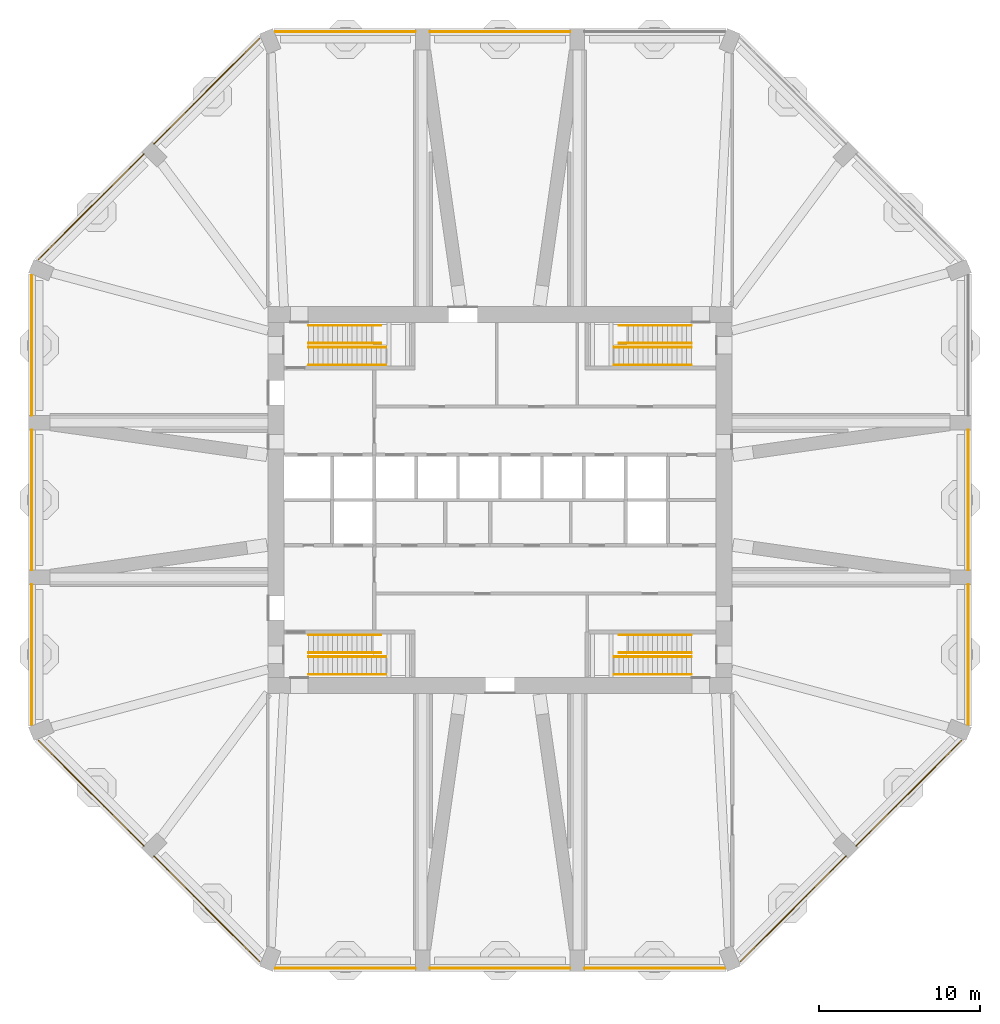
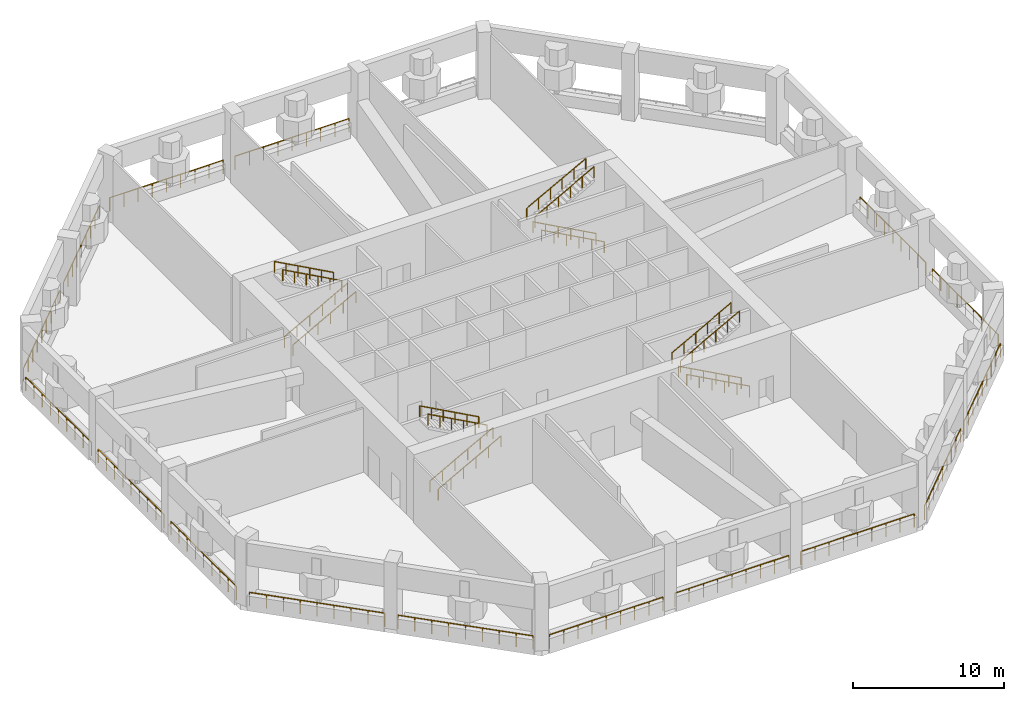
# One storey, part 7 of 9: 32 railings.
"""IFC4 building model written with IfcOpenShell, lengths in metres."""

import ifcopenshell
import ifcopenshell.guid

model = None  # the IFC model being written
_history = None  # IfcOwnerHistory: only IFC2X3 demands one
_inside = {}  # id of a spatial element -> (the spatial element, [elements in it])
_under = {}  # id of a project, library or spatial element -> (it, [spatial elements below it])
_declared = {}  # id of a project -> (the project, [libraries it declares])
_typed = {}  # id of a type object -> (the type object, [elements of that type])
_made_of = {}  # id of a material, layer set ... -> (it, [elements and type objects made of it])


def new_model(schema):
    """Start an empty IFC model of exactly this schema.

    Asked for "IFC4X3", IfcOpenShell would pick the latest addendum, in which some entities
    have other attributes; the version numbers below select the first issue.
    IFC2X3 requires an IfcOwnerHistory on every rooted entity: one is made here for all.
    """
    global model, _history
    if schema == "IFC4X3":
        model = ifcopenshell.file(schema_version=(4, 3, 0, 0))
    else:
        model = ifcopenshell.file(schema=schema)
    _inside.clear()
    _under.clear()
    _declared.clear()
    _typed.clear()
    _made_of.clear()
    _history = None
    if model.schema == "IFC2X3":
        org = make("IfcOrganization", Name="unknown")
        user = make(
            "IfcPersonAndOrganization",
            ThePerson=make("IfcPerson", FamilyName="unknown"),
            TheOrganization=org,
        )
        app = make(
            "IfcApplication",
            ApplicationDeveloper=org,
            Version="unknown",
            ApplicationFullName="unknown",
            ApplicationIdentifier="unknown",
        )
        _history = make(
            "IfcOwnerHistory",
            OwningUser=user,
            OwningApplication=app,
            ChangeAction="ADDED",
            CreationDate=0,
        )
    return model


def make(cls, **values):
    """One entity of the class cls with the attributes given. An attribute that is None is left unset."""
    return model.create_entity(
        cls, **{name: value for name, value in values.items() if value is not None}
    )


def rooted(cls, **values):
    """An entity with a GlobalId (a new one), such as an element, a storey or a relation."""
    return make(cls, GlobalId=ifcopenshell.guid.new(), OwnerHistory=_history, **values)


def si_unit(unit_type, name, prefix=None):
    """IfcSIUnit, for example si_unit("LENGTHUNIT", "METRE", prefix="MILLI")."""
    return make("IfcSIUnit", UnitType=unit_type, Prefix=prefix, Name=name)


def assignment(units):
    """IfcUnitAssignment: the units of a project."""
    return None if units is None else make("IfcUnitAssignment", Units=units)


def point(xyz):
    """IfcCartesianPoint."""
    return None if xyz is None else make("IfcCartesianPoint", Coordinates=xyz)


def direction(xyz):
    """IfcDirection."""
    return None if xyz is None else make("IfcDirection", DirectionRatios=xyz)


def frame(location, z_axis=None, x_axis=None):
    """IfcAxis2Placement3D, a coordinate frame: its origin and axes. An axis left out is left unset."""
    return make(
        "IfcAxis2Placement3D",
        Location=point(location),
        Axis=direction(z_axis),
        RefDirection=direction(x_axis),
    )


def frame_2d(location, x_axis=None):
    """IfcAxis2Placement2D, a coordinate frame in the plane: its origin and x axis."""
    return make(
        "IfcAxis2Placement2D", Location=point(location), RefDirection=direction(x_axis)
    )


def origin():
    """The frame at (0, 0, 0) with its axes left unset."""
    return frame((0.0, 0.0, 0.0))


def origin_2d():
    """The frame at (0, 0) in the plane with its x axis left unset."""
    return frame_2d((0.0, 0.0))


def place(relative_to, where):
    """IfcLocalPlacement: puts the frame where relative to a parent placement (None: the world)."""
    return make(
        "IfcLocalPlacement", PlacementRelTo=relative_to, RelativePlacement=where
    )


def context(
    kind, dimensions, precision=None, world=None, true_north=None, identifier=None
):
    """IfcGeometricRepresentationContext, for example the 3D "Model" context."""
    return make(
        "IfcGeometricRepresentationContext",
        ContextIdentifier=identifier,
        ContextType=kind,
        CoordinateSpaceDimension=dimensions,
        Precision=precision,
        WorldCoordinateSystem=world,
        TrueNorth=true_north,
    )


def subcontext(parent, identifier, kind, view, scale=None):
    """IfcGeometricRepresentationSubContext, for example "Body" below "Model"."""
    return make(
        "IfcGeometricRepresentationSubContext",
        ContextIdentifier=identifier,
        ContextType=kind,
        ParentContext=parent,
        TargetScale=scale,
        TargetView=view,
    )


def project(units=None, contexts=None):
    """IfcProject with its units and contexts."""
    return rooted(
        "IfcProject",
        Name="project",
        RepresentationContexts=contexts,
        UnitsInContext=assignment(units),
    )


def spatial(cls, under=None, at=None, **own):
    """A site, building, storey or space (cls), placed at a placement, below another one or the project."""
    s = rooted(cls, ObjectPlacement=at, **own)
    if under is not None:
        _under.setdefault(under.id(), (under, []))[1].append(s)
    return s


def profile(cls, at=None, kind="AREA", **sizes):
    """A parametric profile (cls). Its sizes go by their IFC names, for example OverallWidth=200.0."""
    return make(cls, ProfileType=kind, Position=at, **sizes)


def circle(**sizes):
    """IfcCircleProfileDef."""
    return profile("IfcCircleProfileDef", **sizes)


def extrude(swept, where, along, depth):
    """IfcExtrudedAreaSolid: the profile swept, set in the frame where, extruded along a direction by depth."""
    return make(
        "IfcExtrudedAreaSolid",
        SweptArea=swept,
        Position=where,
        ExtrudedDirection=direction(along),
        Depth=depth,
    )


def shape(context_of_items, identifier, shape_type, items):
    """IfcShapeRepresentation: the items that make up one representation, for example the "Body"."""
    return make(
        "IfcShapeRepresentation",
        ContextOfItems=context_of_items,
        RepresentationIdentifier=identifier,
        RepresentationType=shape_type,
        Items=items,
    )


def material(Name=None, Category=None):
    """IfcMaterial."""
    return make("IfcMaterial", Name=Name, Category=Category)


def constituent(of_material, Name=None, Category=None, fraction=None):
    """IfcMaterialConstituent: one of the materials an element consists of."""
    return make(
        "IfcMaterialConstituent",
        Name=Name,
        Material=of_material,
        Fraction=fraction,
        Category=Category,
    )


def constituent_set(constituents=None, Name=None):
    """IfcMaterialConstituentSet."""
    return make(
        "IfcMaterialConstituentSet", Name=Name, MaterialConstituents=constituents
    )


def made_of(thing, what):
    """Note that an element or type object is made of a material, layer set ...; save() writes the relation."""
    if what is not None:
        _made_of.setdefault(what.id(), (what, []))[1].append(thing)
    return thing


def type_object(cls, material=None, **own):
    """A type object (cls), such as IfcWallType, which elements share."""
    return made_of(rooted(cls, **own), material)


def element(
    cls,
    number,
    at=None,
    inside=None,
    cuts=None,
    type_object=None,
    material=None,
    context=None,
    identifier="Body",
    shape_type=None,
    held_by="IfcProductDefinitionShape",
    body=None,
    shapes=None,
    **own,
):
    """One element of the class cls, such as IfcWall. Its Tag is "e" and its number.

    at: its placement. inside: the storey or other place that contains it. cuts: it is an
    opening in that element (IfcRelVoidsElement). A single representation is given by context,
    identifier, shape_type and body (its items); several are given by shapes. held_by: the class
    of the entity that holds the representations. save() writes the other relations.
    """
    e = rooted(cls, Tag="e%d" % number, ObjectPlacement=at, **own)
    if body is not None:
        shapes = [shape(context, identifier, shape_type, body)]
    if shapes is not None:
        e.Representation = make(held_by, Representations=shapes)
    if inside is not None:
        _inside.setdefault(inside.id(), (inside, []))[1].append(e)
    if cuts is not None:
        rooted(
            "IfcRelVoidsElement", RelatingBuildingElement=cuts, RelatedOpeningElement=e
        )
    if type_object is not None:
        _typed.setdefault(type_object.id(), (type_object, []))[1].append(e)
    return made_of(e, material)


def aggregate(whole, parts):
    """IfcRelAggregates: a whole, such as a stair, and the parts it consists of."""
    return rooted("IfcRelAggregates", RelatingObject=whole, RelatedObjects=parts)


def save(model, path):
    """Write the relations noted so far, then the file.

    IfcRelAggregates (storeys below a building ...), IfcRelContainedInSpatialStructure (elements
    in a storey), IfcRelDefinesByType, IfcRelAssociatesMaterial and IfcRelDeclares: one each for
    every whole, place, type object, material and project.
    """
    for whole, parts in _under.values():
        aggregate(whole, parts)
    for where, things in _inside.values():
        rooted(
            "IfcRelContainedInSpatialStructure",
            RelatedElements=things,
            RelatingStructure=where,
        )
    for kind, things in _typed.values():
        rooted("IfcRelDefinesByType", RelatedObjects=things, RelatingType=kind)
    for what, things in _made_of.values():
        rooted("IfcRelAssociatesMaterial", RelatedObjects=things, RelatingMaterial=what)
    for by, libraries in _declared.values():
        rooted("IfcRelDeclares", RelatingContext=by, RelatedDefinitions=libraries)
    model.write(path)


model = new_model("IFC4")

# Units and contexts
model_context = context("Model", 3, precision=1e-05, world=origin(), true_north=direction((0.0, 1.0)))
body_context = subcontext(model_context, "Body", "Model", "MODEL_VIEW")
ifc_project = project(units=[si_unit("LENGTHUNIT", "METRE"), si_unit("AREAUNIT", "SQUARE_METRE"), si_unit("VOLUMEUNIT", "CUBIC_METRE"), si_unit("PLANEANGLEUNIT", "RADIAN"), si_unit("MASSUNIT", "GRAM", prefix="KILO")], contexts=[model_context])

# Site, building, storey
site_placement = place(None, origin())
site = spatial("IfcSite", under=ifc_project, at=site_placement, CompositionType="ELEMENT")
building_placement = place(site_placement, origin())
building = spatial("IfcBuilding", under=site, at=building_placement, Name="Msitu Wima Residences", CompositionType="ELEMENT")
storey_placement = place(building_placement, frame((0.0, 0.0, 101.10009765625)))
storey = spatial("IfcBuildingStorey", under=building, at=storey_placement, Name="L23", CompositionType="ELEMENT", Elevation=101.10009765625)

# Railings
ifc_material_1 = material(Name="Steel S355", Category="steel")
ifc_constituent_1 = constituent(ifc_material_1, Name="Steel S355")
ifc_material_2 = material(Name="Black powder coating")
ifc_constituent_2 = constituent(ifc_material_2, Name="Black powder coating")
ifc_constituent_set_1 = constituent_set(constituents=[ifc_constituent_1, ifc_constituent_2], Name="Steel S355")
railing_type_1 = type_object("IfcRailingType", Name="Stair handrail HR1", PredefinedType="HANDRAIL", material=ifc_constituent_set_1)
for number, where, name in (
    (1, (-11.875, 8.375, 0.16357421875), "Stair 1 handrail"),
    (2, (-11.875, 9.47509765625, 0.16357421875), "Stair 1 handrail"),
):
    element("IfcRailing", number, at=place(storey_placement, frame(where)), inside=storey, type_object=railing_type_1, Name=name, PredefinedType="HANDRAIL", context=body_context, shape_type="SweptSolid", body=[
        extrude(circle(Radius=0.02392578125, at=origin_2d()), frame((0.0, 0.0, 0.8759765625), z_axis=(0.877898985768, 0.0, 0.478845873729), x_axis=(0.0, 1.0, 0.0)), (0.0, 0.0, 1.0), 5.4677734375),
        extrude(circle(Radius=0.02099609375, at=origin_2d()), origin(), (0.0, 0.0, 1.0), 0.851806640625),
        extrude(circle(Radius=0.02099609375, at=origin_2d()), frame((0.9599609375, 0.0, 0.523681640625)), (0.0, 0.0, 1.0), 0.851806640625),
        extrude(circle(Radius=0.02099609375, at=origin_2d()), frame((1.919921875, 0.0, 1.04736328125)), (0.0, 0.0, 1.0), 0.851806640625),
        extrude(circle(Radius=0.02099609375, at=origin_2d()), frame((2.880126953125, 0.0, 1.57080078125)), (0.0, 0.0, 1.0), 0.851806640625),
        extrude(circle(Radius=0.02099609375, at=origin_2d()), frame((3.840087890625, 0.0, 2.094482421875)), (0.0, 0.0, 1.0), 0.851806640625),
        extrude(circle(Radius=0.02099609375, at=origin_2d()), frame((4.800048828125, 0.0, 2.6181640625)), (0.0, 0.0, 1.0), 0.851806640625),
    ])
for number, where, name in (
    (3, (-7.375, 9.72509765625, 2.9453125), "Stair 1 handrail"),
    (4, (-7.375, 10.824951171875, 2.9453125), "Stair 1 handrail"),
):
    element("IfcRailing", number, at=place(storey_placement, frame(where)), inside=storey, type_object=railing_type_1, Name=name, PredefinedType="HANDRAIL", context=body_context, shape_type="SweptSolid", body=[
        extrude(circle(Radius=0.02392578125, at=origin_2d()), frame((0.0, 0.0, 0.8759765625), z_axis=(-0.87789193248, 0.0, 0.47885880475), x_axis=(0.0, -1.0, 0.0)), (0.0, 0.0, 1.0), 5.1259765625),
        extrude(circle(Radius=0.02099609375, at=origin_2d()), origin(), (0.0, 0.0, 1.0), 0.851806640625),
        extrude(circle(Radius=0.02099609375, at=origin_2d()), frame((-0.89990234375, 0.0, 0.490966796875)), (0.0, 0.0, 1.0), 0.851806640625),
        extrude(circle(Radius=0.02099609375, at=origin_2d()), frame((-1.800048828125, 0.0, 0.98193359375)), (0.0, 0.0, 1.0), 0.851806640625),
        extrude(circle(Radius=0.02099609375, at=origin_2d()), frame((-2.699951171875, 0.0, 1.47265625)), (0.0, 0.0, 1.0), 0.851806640625),
        extrude(circle(Radius=0.02099609375, at=origin_2d()), frame((-3.60009765625, 0.0, 1.963623046875)), (0.0, 0.0, 1.0), 0.851806640625),
        extrude(circle(Radius=0.02099609375, at=origin_2d()), frame((-4.5, 0.0, 2.45458984375)), (0.0, 0.0, 1.0), 0.851806640625),
    ])
for number, where, name in (
    (5, (-11.875, -10.824951171875, 0.16357421875), "Stair 2 handrail"),
    (6, (-11.875, -9.72509765625, 0.16357421875), "Stair 2 handrail"),
):
    element("IfcRailing", number, at=place(storey_placement, frame(where)), inside=storey, type_object=railing_type_1, Name=name, PredefinedType="HANDRAIL", context=body_context, shape_type="SweptSolid", body=[
        extrude(circle(Radius=0.02392578125, at=origin_2d()), frame((0.0, 0.0, 0.8759765625), z_axis=(0.877898985768, 0.0, 0.478845873729), x_axis=(0.0, 1.0, 0.0)), (0.0, 0.0, 1.0), 5.4677734375),
        extrude(circle(Radius=0.02099609375, at=origin_2d()), origin(), (0.0, 0.0, 1.0), 0.851806640625),
        extrude(circle(Radius=0.02099609375, at=origin_2d()), frame((0.9599609375, 0.0, 0.523681640625)), (0.0, 0.0, 1.0), 0.851806640625),
        extrude(circle(Radius=0.02099609375, at=origin_2d()), frame((1.919921875, 0.0, 1.04736328125)), (0.0, 0.0, 1.0), 0.851806640625),
        extrude(circle(Radius=0.02099609375, at=origin_2d()), frame((2.880126953125, 0.0, 1.57080078125)), (0.0, 0.0, 1.0), 0.851806640625),
        extrude(circle(Radius=0.02099609375, at=origin_2d()), frame((3.840087890625, 0.0, 2.094482421875)), (0.0, 0.0, 1.0), 0.851806640625),
        extrude(circle(Radius=0.02099609375, at=origin_2d()), frame((4.800048828125, 0.0, 2.6181640625)), (0.0, 0.0, 1.0), 0.851806640625),
    ])
for number, where, name in (
    (7, (-7.375, -9.47509765625, 2.9453125), "Stair 2 handrail"),
    (8, (-7.375, -8.375, 2.9453125), "Stair 2 handrail"),
):
    element("IfcRailing", number, at=place(storey_placement, frame(where)), inside=storey, type_object=railing_type_1, Name=name, PredefinedType="HANDRAIL", context=body_context, shape_type="SweptSolid", body=[
        extrude(circle(Radius=0.02392578125, at=origin_2d()), frame((0.0, 0.0, 0.8759765625), z_axis=(-0.87789193248, 0.0, 0.47885880475), x_axis=(0.0, -1.0, 0.0)), (0.0, 0.0, 1.0), 5.1259765625),
        extrude(circle(Radius=0.02099609375, at=origin_2d()), origin(), (0.0, 0.0, 1.0), 0.851806640625),
        extrude(circle(Radius=0.02099609375, at=origin_2d()), frame((-0.89990234375, 0.0, 0.490966796875)), (0.0, 0.0, 1.0), 0.851806640625),
        extrude(circle(Radius=0.02099609375, at=origin_2d()), frame((-1.800048828125, 0.0, 0.98193359375)), (0.0, 0.0, 1.0), 0.851806640625),
        extrude(circle(Radius=0.02099609375, at=origin_2d()), frame((-2.699951171875, 0.0, 1.47265625)), (0.0, 0.0, 1.0), 0.851806640625),
        extrude(circle(Radius=0.02099609375, at=origin_2d()), frame((-3.60009765625, 0.0, 1.963623046875)), (0.0, 0.0, 1.0), 0.851806640625),
        extrude(circle(Radius=0.02099609375, at=origin_2d()), frame((-4.5, 0.0, 2.45458984375)), (0.0, 0.0, 1.0), 0.851806640625),
    ])
for number, where, name in (
    (9, (11.875, 8.375, 0.16357421875), "Stair 3 handrail"),
    (10, (11.875, 9.47509765625, 0.16357421875), "Stair 3 handrail"),
):
    element("IfcRailing", number, at=place(storey_placement, frame(where)), inside=storey, type_object=railing_type_1, Name=name, PredefinedType="HANDRAIL", context=body_context, shape_type="SweptSolid", body=[
        extrude(circle(Radius=0.02392578125, at=origin_2d()), frame((0.0, 0.0, 0.8759765625), z_axis=(-0.877898985768, 0.0, 0.478845873729), x_axis=(0.0, -1.0, 0.0)), (0.0, 0.0, 1.0), 5.4677734375),
        extrude(circle(Radius=0.02099609375, at=origin_2d()), origin(), (0.0, 0.0, 1.0), 0.851806640625),
        extrude(circle(Radius=0.02099609375, at=origin_2d()), frame((-0.9599609375, 0.0, 0.523681640625)), (0.0, 0.0, 1.0), 0.851806640625),
        extrude(circle(Radius=0.02099609375, at=origin_2d()), frame((-1.919921875, 0.0, 1.04736328125)), (0.0, 0.0, 1.0), 0.851806640625),
        extrude(circle(Radius=0.02099609375, at=origin_2d()), frame((-2.880126953125, 0.0, 1.57080078125)), (0.0, 0.0, 1.0), 0.851806640625),
        extrude(circle(Radius=0.02099609375, at=origin_2d()), frame((-3.840087890625, 0.0, 2.094482421875)), (0.0, 0.0, 1.0), 0.851806640625),
        extrude(circle(Radius=0.02099609375, at=origin_2d()), frame((-4.800048828125, 0.0, 2.6181640625)), (0.0, 0.0, 1.0), 0.851806640625),
    ])
for number, where, name in (
    (11, (7.375, 9.72509765625, 2.9453125), "Stair 3 handrail"),
    (12, (7.375, 10.824951171875, 2.9453125), "Stair 3 handrail"),
):
    element("IfcRailing", number, at=place(storey_placement, frame(where)), inside=storey, type_object=railing_type_1, Name=name, PredefinedType="HANDRAIL", context=body_context, shape_type="SweptSolid", body=[
        extrude(circle(Radius=0.02392578125, at=origin_2d()), frame((0.0, 0.0, 0.8759765625), z_axis=(0.87789193248, 0.0, 0.47885880475), x_axis=(0.0, 1.0, 0.0)), (0.0, 0.0, 1.0), 5.1259765625),
        extrude(circle(Radius=0.02099609375, at=origin_2d()), origin(), (0.0, 0.0, 1.0), 0.851806640625),
        extrude(circle(Radius=0.02099609375, at=origin_2d()), frame((0.89990234375, 0.0, 0.490966796875)), (0.0, 0.0, 1.0), 0.851806640625),
        extrude(circle(Radius=0.02099609375, at=origin_2d()), frame((1.800048828125, 0.0, 0.98193359375)), (0.0, 0.0, 1.0), 0.851806640625),
        extrude(circle(Radius=0.02099609375, at=origin_2d()), frame((2.699951171875, 0.0, 1.47265625)), (0.0, 0.0, 1.0), 0.851806640625),
        extrude(circle(Radius=0.02099609375, at=origin_2d()), frame((3.60009765625, 0.0, 1.963623046875)), (0.0, 0.0, 1.0), 0.851806640625),
        extrude(circle(Radius=0.02099609375, at=origin_2d()), frame((4.5, 0.0, 2.45458984375)), (0.0, 0.0, 1.0), 0.851806640625),
    ])
for number, where, name in (
    (13, (11.875, -10.824951171875, 0.16357421875), "Stair 4 handrail"),
    (14, (11.875, -9.72509765625, 0.16357421875), "Stair 4 handrail"),
):
    element("IfcRailing", number, at=place(storey_placement, frame(where)), inside=storey, type_object=railing_type_1, Name=name, PredefinedType="HANDRAIL", context=body_context, shape_type="SweptSolid", body=[
        extrude(circle(Radius=0.02392578125, at=origin_2d()), frame((0.0, 0.0, 0.8759765625), z_axis=(-0.877898985768, 0.0, 0.478845873729), x_axis=(0.0, -1.0, 0.0)), (0.0, 0.0, 1.0), 5.4677734375),
        extrude(circle(Radius=0.02099609375, at=origin_2d()), origin(), (0.0, 0.0, 1.0), 0.851806640625),
        extrude(circle(Radius=0.02099609375, at=origin_2d()), frame((-0.9599609375, 0.0, 0.523681640625)), (0.0, 0.0, 1.0), 0.851806640625),
        extrude(circle(Radius=0.02099609375, at=origin_2d()), frame((-1.919921875, 0.0, 1.04736328125)), (0.0, 0.0, 1.0), 0.851806640625),
        extrude(circle(Radius=0.02099609375, at=origin_2d()), frame((-2.880126953125, 0.0, 1.57080078125)), (0.0, 0.0, 1.0), 0.851806640625),
        extrude(circle(Radius=0.02099609375, at=origin_2d()), frame((-3.840087890625, 0.0, 2.094482421875)), (0.0, 0.0, 1.0), 0.851806640625),
        extrude(circle(Radius=0.02099609375, at=origin_2d()), frame((-4.800048828125, 0.0, 2.6181640625)), (0.0, 0.0, 1.0), 0.851806640625),
    ])
for number, where, name in (
    (15, (7.375, -9.47509765625, 2.9453125), "Stair 4 handrail"),
    (16, (7.375, -8.375, 2.9453125), "Stair 4 handrail"),
):
    element("IfcRailing", number, at=place(storey_placement, frame(where)), inside=storey, type_object=railing_type_1, Name=name, PredefinedType="HANDRAIL", context=body_context, shape_type="SweptSolid", body=[
        extrude(circle(Radius=0.02392578125, at=origin_2d()), frame((0.0, 0.0, 0.8759765625), z_axis=(0.87789193248, 0.0, 0.47885880475), x_axis=(0.0, 1.0, 0.0)), (0.0, 0.0, 1.0), 5.1259765625),
        extrude(circle(Radius=0.02099609375, at=origin_2d()), origin(), (0.0, 0.0, 1.0), 0.851806640625),
        extrude(circle(Radius=0.02099609375, at=origin_2d()), frame((0.89990234375, 0.0, 0.490966796875)), (0.0, 0.0, 1.0), 0.851806640625),
        extrude(circle(Radius=0.02099609375, at=origin_2d()), frame((1.800048828125, 0.0, 0.98193359375)), (0.0, 0.0, 1.0), 0.851806640625),
        extrude(circle(Radius=0.02099609375, at=origin_2d()), frame((2.699951171875, 0.0, 1.47265625)), (0.0, 0.0, 1.0), 0.851806640625),
        extrude(circle(Radius=0.02099609375, at=origin_2d()), frame((3.60009765625, 0.0, 1.963623046875)), (0.0, 0.0, 1.0), 0.851806640625),
        extrude(circle(Radius=0.02099609375, at=origin_2d()), frame((4.5, 0.0, 2.45458984375)), (0.0, 0.0, 1.0), 0.851806640625),
    ])
ifc_constituent_3 = constituent(ifc_material_1, Name="Steel S355")
ifc_material_3 = material(Name="Weathering patina")
ifc_constituent_4 = constituent(ifc_material_3, Name="Weathering patina")
ifc_constituent_set_2 = constituent_set(constituents=[ifc_constituent_3, ifc_constituent_4], Name="Steel S355")
railing_type_2 = type_object("IfcRailingType", Name="Terrace guard GR1100", PredefinedType="GUARDRAIL", material=ifc_constituent_set_2)
railing_1_placement = place(storey_placement, frame((29.050048828125, -13.912841796875, 0.0)))
element("IfcRailing", 17, at=railing_1_placement, inside=storey, type_object=railing_type_2, Name="Refuge guard L23 E0", PredefinedType="GUARDRAIL", context=body_context, shape_type="SweptSolid", body=[
    extrude(circle(Radius=0.02392578125, at=origin_2d()), frame((0.0, 0.0, 1.076171875), z_axis=(0.0, 1.0, 0.0), x_axis=(-1.0, 0.0, 0.0)), (0.0, 0.0, 1.0), 8.662841796875),
    extrude(circle(Radius=0.02099609375, at=origin_2d()), origin(), (0.0, 0.0, 1.0), 1.052001953125),
    extrude(circle(Radius=0.02099609375, at=origin_2d()), frame((0.0, 1.082763671875, 0.0)), (0.0, 0.0, 1.0), 1.052001953125),
    extrude(circle(Radius=0.02099609375, at=origin_2d()), frame((0.0, 2.165771484375, 0.0)), (0.0, 0.0, 1.0), 1.052001953125),
    extrude(circle(Radius=0.02099609375, at=origin_2d()), frame((0.0, 3.24853515625, 0.0)), (0.0, 0.0, 1.0), 1.052001953125),
    extrude(circle(Radius=0.02099609375, at=origin_2d()), frame((0.0, 4.33154296875, 0.0)), (0.0, 0.0, 1.0), 1.052001953125),
    extrude(circle(Radius=0.02099609375, at=origin_2d()), frame((0.0, 5.414306640625, 0.0)), (0.0, 0.0, 1.0), 1.052001953125),
    extrude(circle(Radius=0.02099609375, at=origin_2d()), frame((0.0, 6.4970703125, 0.0)), (0.0, 0.0, 1.0), 1.052001953125),
    extrude(circle(Radius=0.02099609375, at=origin_2d()), frame((0.0, 7.580078125, 0.0)), (0.0, 0.0, 1.0), 1.052001953125),
    extrude(circle(Radius=0.02099609375, at=origin_2d()), frame((0.0, 8.662841796875, 0.0)), (0.0, 0.0, 1.0), 1.052001953125),
])
railing_2_placement = place(storey_placement, frame((29.050048828125, -4.35009765625, 0.0)))
element("IfcRailing", 18, at=railing_2_placement, inside=storey, type_object=railing_type_2, Name="Refuge guard L23 E1", PredefinedType="GUARDRAIL", context=body_context, shape_type="SweptSolid", body=[
    extrude(circle(Radius=0.02392578125, at=origin_2d()), frame((0.0, 0.0, 1.076171875), z_axis=(0.0, 1.0, 0.0), x_axis=(-1.0, 0.0, 0.0)), (0.0, 0.0, 1.0), 8.7001953125),
    extrude(circle(Radius=0.02099609375, at=origin_2d()), origin(), (0.0, 0.0, 1.0), 1.052001953125),
    extrude(circle(Radius=0.02099609375, at=origin_2d()), frame((0.0, 1.08740234375, 0.0)), (0.0, 0.0, 1.0), 1.052001953125),
    extrude(circle(Radius=0.02099609375, at=origin_2d()), frame((0.0, 2.175048828125, 0.0)), (0.0, 0.0, 1.0), 1.052001953125),
    extrude(circle(Radius=0.02099609375, at=origin_2d()), frame((0.0, 3.2626953125, 0.0)), (0.0, 0.0, 1.0), 1.052001953125),
    extrude(circle(Radius=0.02099609375, at=origin_2d()), frame((0.0, 4.35009765625, 0.0)), (0.0, 0.0, 1.0), 1.052001953125),
    extrude(circle(Radius=0.02099609375, at=origin_2d()), frame((0.0, 5.4375, 0.0)), (0.0, 0.0, 1.0), 1.052001953125),
    extrude(circle(Radius=0.02099609375, at=origin_2d()), frame((0.0, 6.525146484375, 0.0)), (0.0, 0.0, 1.0), 1.052001953125),
    extrude(circle(Radius=0.02099609375, at=origin_2d()), frame((0.0, 7.61279296875, 0.0)), (0.0, 0.0, 1.0), 1.052001953125),
    extrude(circle(Radius=0.02099609375, at=origin_2d()), frame((0.0, 8.7001953125, 0.0)), (0.0, 0.0, 1.0), 1.052001953125),
])
railing_3_placement = place(storey_placement, frame((4.35009765625, 29.050048828125, 0.0)))
element("IfcRailing", 19, at=railing_3_placement, inside=storey, type_object=railing_type_2, Name="Refuge guard L23 N1", PredefinedType="GUARDRAIL", context=body_context, shape_type="SweptSolid", body=[
    extrude(circle(Radius=0.02392578125, at=origin_2d()), frame((0.0, 0.0, 1.076171875), z_axis=(-1.0, 0.0, 0.0), x_axis=(0.0, -1.0, 0.0)), (0.0, 0.0, 1.0), 8.7001953125),
    extrude(circle(Radius=0.02099609375, at=origin_2d()), origin(), (0.0, 0.0, 1.0), 1.052001953125),
    extrude(circle(Radius=0.02099609375, at=origin_2d()), frame((-1.08740234375, 0.0, 0.0)), (0.0, 0.0, 1.0), 1.052001953125),
    extrude(circle(Radius=0.02099609375, at=origin_2d()), frame((-2.175048828125, 0.0, 0.0)), (0.0, 0.0, 1.0), 1.052001953125),
    extrude(circle(Radius=0.02099609375, at=origin_2d()), frame((-3.2626953125, 0.0, 0.0)), (0.0, 0.0, 1.0), 1.052001953125),
    extrude(circle(Radius=0.02099609375, at=origin_2d()), frame((-4.35009765625, 0.0, 0.0)), (0.0, 0.0, 1.0), 1.052001953125),
    extrude(circle(Radius=0.02099609375, at=origin_2d()), frame((-5.4375, 0.0, 0.0)), (0.0, 0.0, 1.0), 1.052001953125),
    extrude(circle(Radius=0.02099609375, at=origin_2d()), frame((-6.525146484375, 0.0, 0.0)), (0.0, 0.0, 1.0), 1.052001953125),
    extrude(circle(Radius=0.02099609375, at=origin_2d()), frame((-7.61279296875, 0.0, 0.0)), (0.0, 0.0, 1.0), 1.052001953125),
    extrude(circle(Radius=0.02099609375, at=origin_2d()), frame((-8.7001953125, 0.0, 0.0)), (0.0, 0.0, 1.0), 1.052001953125),
])
railing_4_placement = place(storey_placement, frame((-5.25, 29.050048828125, 0.0)))
element("IfcRailing", 20, at=railing_4_placement, inside=storey, type_object=railing_type_2, Name="Refuge guard L23 N2", PredefinedType="GUARDRAIL", context=body_context, shape_type="SweptSolid", body=[
    extrude(circle(Radius=0.02392578125, at=origin_2d()), frame((0.0, 0.0, 1.076171875), z_axis=(-1.0, 0.0, 0.0), x_axis=(0.0, -1.0, 0.0)), (0.0, 0.0, 1.0), 8.662841796875),
    extrude(circle(Radius=0.02099609375, at=origin_2d()), origin(), (0.0, 0.0, 1.0), 1.052001953125),
    extrude(circle(Radius=0.02099609375, at=origin_2d()), frame((-1.082763671875, 0.0, 0.0)), (0.0, 0.0, 1.0), 1.052001953125),
    extrude(circle(Radius=0.02099609375, at=origin_2d()), frame((-2.165771484375, 0.0, 0.0)), (0.0, 0.0, 1.0), 1.052001953125),
    extrude(circle(Radius=0.02099609375, at=origin_2d()), frame((-3.24853515625, 0.0, 0.0)), (0.0, 0.0, 1.0), 1.052001953125),
    extrude(circle(Radius=0.02099609375, at=origin_2d()), frame((-4.33154296875, 0.0, 0.0)), (0.0, 0.0, 1.0), 1.052001953125),
    extrude(circle(Radius=0.02099609375, at=origin_2d()), frame((-5.414306640625, 0.0, 0.0)), (0.0, 0.0, 1.0), 1.052001953125),
    extrude(circle(Radius=0.02099609375, at=origin_2d()), frame((-6.4970703125, 0.0, 0.0)), (0.0, 0.0, 1.0), 1.052001953125),
    extrude(circle(Radius=0.02099609375, at=origin_2d()), frame((-7.580078125, 0.0, 0.0)), (0.0, 0.0, 1.0), 1.052001953125),
    extrude(circle(Radius=0.02099609375, at=origin_2d()), frame((-8.662841796875, 0.0, 0.0)), (0.0, 0.0, 1.0), 1.052001953125),
])
for number, where, name in (
    (21, (-14.921142578125, 28.63232421875, 0.0), "Refuge guard L23 NW0"),
    (22, (-22.094970703125, 21.45849609375, 0.0), "Refuge guard L23 NW1"),
):
    element("IfcRailing", number, at=place(storey_placement, frame(where)), inside=storey, type_object=railing_type_2, Name=name, PredefinedType="GUARDRAIL", context=body_context, shape_type="SweptSolid", body=[
        extrude(circle(Radius=0.02392578125, at=origin_2d()), frame((0.0, 0.0, 1.076171875), z_axis=(-0.707106781187, -0.707106781187, 0.0), x_axis=(0.707106781187, -0.707106781187, 0.0)), (0.0, 0.0, 1.0), 9.2451171875),
        extrude(circle(Radius=0.02099609375, at=origin_2d()), origin(), (0.0, 0.0, 1.0), 1.052001953125),
        extrude(circle(Radius=0.02099609375, at=origin_2d()), frame((-0.817138671875, -0.817138671875, 0.0)), (0.0, 0.0, 1.0), 1.052001953125),
        extrude(circle(Radius=0.02099609375, at=origin_2d()), frame((-1.63427734375, -1.63427734375, 0.0)), (0.0, 0.0, 1.0), 1.052001953125),
        extrude(circle(Radius=0.02099609375, at=origin_2d()), frame((-2.451416015625, -2.451416015625, 0.0)), (0.0, 0.0, 1.0), 1.052001953125),
        extrude(circle(Radius=0.02099609375, at=origin_2d()), frame((-3.2685546875, -3.2685546875, 0.0)), (0.0, 0.0, 1.0), 1.052001953125),
        extrude(circle(Radius=0.02099609375, at=origin_2d()), frame((-4.0859375, -4.0859375, 0.0)), (0.0, 0.0, 1.0), 1.052001953125),
        extrude(circle(Radius=0.02099609375, at=origin_2d()), frame((-4.903076171875, -4.903076171875, 0.0)), (0.0, 0.0, 1.0), 1.052001953125),
        extrude(circle(Radius=0.02099609375, at=origin_2d()), frame((-5.72021484375, -5.72021484375, 0.0)), (0.0, 0.0, 1.0), 1.052001953125),
        extrude(circle(Radius=0.02099609375, at=origin_2d()), frame((-6.537353515625, -6.537353515625, 0.0)), (0.0, 0.0, 1.0), 1.052001953125),
    ])
railing_5_placement = place(storey_placement, frame((-29.050048828125, 13.912841796875, 0.0)))
element("IfcRailing", 23, at=railing_5_placement, inside=storey, type_object=railing_type_2, Name="Refuge guard L23 W0", PredefinedType="GUARDRAIL", context=body_context, shape_type="SweptSolid", body=[
    extrude(circle(Radius=0.02392578125, at=origin_2d()), frame((0.0, 0.0, 1.076171875), z_axis=(0.0, -1.0, 0.0), x_axis=(1.0, 0.0, 0.0)), (0.0, 0.0, 1.0), 8.662841796875),
    extrude(circle(Radius=0.02099609375, at=origin_2d()), origin(), (0.0, 0.0, 1.0), 1.052001953125),
    extrude(circle(Radius=0.02099609375, at=origin_2d()), frame((0.0, -1.082763671875, 0.0)), (0.0, 0.0, 1.0), 1.052001953125),
    extrude(circle(Radius=0.02099609375, at=origin_2d()), frame((0.0, -2.165771484375, 0.0)), (0.0, 0.0, 1.0), 1.052001953125),
    extrude(circle(Radius=0.02099609375, at=origin_2d()), frame((0.0, -3.24853515625, 0.0)), (0.0, 0.0, 1.0), 1.052001953125),
    extrude(circle(Radius=0.02099609375, at=origin_2d()), frame((0.0, -4.33154296875, 0.0)), (0.0, 0.0, 1.0), 1.052001953125),
    extrude(circle(Radius=0.02099609375, at=origin_2d()), frame((0.0, -5.414306640625, 0.0)), (0.0, 0.0, 1.0), 1.052001953125),
    extrude(circle(Radius=0.02099609375, at=origin_2d()), frame((0.0, -6.4970703125, 0.0)), (0.0, 0.0, 1.0), 1.052001953125),
    extrude(circle(Radius=0.02099609375, at=origin_2d()), frame((0.0, -7.580078125, 0.0)), (0.0, 0.0, 1.0), 1.052001953125),
    extrude(circle(Radius=0.02099609375, at=origin_2d()), frame((0.0, -8.662841796875, 0.0)), (0.0, 0.0, 1.0), 1.052001953125),
])
railing_6_placement = place(storey_placement, frame((-29.050048828125, 4.35009765625, 0.0)))
element("IfcRailing", 24, at=railing_6_placement, inside=storey, type_object=railing_type_2, Name="Refuge guard L23 W1", PredefinedType="GUARDRAIL", context=body_context, shape_type="SweptSolid", body=[
    extrude(circle(Radius=0.02392578125, at=origin_2d()), frame((0.0, 0.0, 1.076171875), z_axis=(0.0, -1.0, 0.0), x_axis=(1.0, 0.0, 0.0)), (0.0, 0.0, 1.0), 8.7001953125),
    extrude(circle(Radius=0.02099609375, at=origin_2d()), origin(), (0.0, 0.0, 1.0), 1.052001953125),
    extrude(circle(Radius=0.02099609375, at=origin_2d()), frame((0.0, -1.08740234375, 0.0)), (0.0, 0.0, 1.0), 1.052001953125),
    extrude(circle(Radius=0.02099609375, at=origin_2d()), frame((0.0, -2.175048828125, 0.0)), (0.0, 0.0, 1.0), 1.052001953125),
    extrude(circle(Radius=0.02099609375, at=origin_2d()), frame((0.0, -3.2626953125, 0.0)), (0.0, 0.0, 1.0), 1.052001953125),
    extrude(circle(Radius=0.02099609375, at=origin_2d()), frame((0.0, -4.35009765625, 0.0)), (0.0, 0.0, 1.0), 1.052001953125),
    extrude(circle(Radius=0.02099609375, at=origin_2d()), frame((0.0, -5.4375, 0.0)), (0.0, 0.0, 1.0), 1.052001953125),
    extrude(circle(Radius=0.02099609375, at=origin_2d()), frame((0.0, -6.525146484375, 0.0)), (0.0, 0.0, 1.0), 1.052001953125),
    extrude(circle(Radius=0.02099609375, at=origin_2d()), frame((0.0, -7.61279296875, 0.0)), (0.0, 0.0, 1.0), 1.052001953125),
    extrude(circle(Radius=0.02099609375, at=origin_2d()), frame((0.0, -8.7001953125, 0.0)), (0.0, 0.0, 1.0), 1.052001953125),
])
railing_7_placement = place(storey_placement, frame((-29.050048828125, -5.25, 0.0)))
element("IfcRailing", 25, at=railing_7_placement, inside=storey, type_object=railing_type_2, Name="Refuge guard L23 W2", PredefinedType="GUARDRAIL", context=body_context, shape_type="SweptSolid", body=[
    extrude(circle(Radius=0.02392578125, at=origin_2d()), frame((0.0, 0.0, 1.076171875), z_axis=(0.0, -1.0, 0.0), x_axis=(1.0, 0.0, 0.0)), (0.0, 0.0, 1.0), 8.662841796875),
    extrude(circle(Radius=0.02099609375, at=origin_2d()), origin(), (0.0, 0.0, 1.0), 1.052001953125),
    extrude(circle(Radius=0.02099609375, at=origin_2d()), frame((0.0, -1.082763671875, 0.0)), (0.0, 0.0, 1.0), 1.052001953125),
    extrude(circle(Radius=0.02099609375, at=origin_2d()), frame((0.0, -2.165771484375, 0.0)), (0.0, 0.0, 1.0), 1.052001953125),
    extrude(circle(Radius=0.02099609375, at=origin_2d()), frame((0.0, -3.24853515625, 0.0)), (0.0, 0.0, 1.0), 1.052001953125),
    extrude(circle(Radius=0.02099609375, at=origin_2d()), frame((0.0, -4.33154296875, 0.0)), (0.0, 0.0, 1.0), 1.052001953125),
    extrude(circle(Radius=0.02099609375, at=origin_2d()), frame((0.0, -5.414306640625, 0.0)), (0.0, 0.0, 1.0), 1.052001953125),
    extrude(circle(Radius=0.02099609375, at=origin_2d()), frame((0.0, -6.4970703125, 0.0)), (0.0, 0.0, 1.0), 1.052001953125),
    extrude(circle(Radius=0.02099609375, at=origin_2d()), frame((0.0, -7.580078125, 0.0)), (0.0, 0.0, 1.0), 1.052001953125),
    extrude(circle(Radius=0.02099609375, at=origin_2d()), frame((0.0, -8.662841796875, 0.0)), (0.0, 0.0, 1.0), 1.052001953125),
])
for number, where, name in (
    (26, (-28.63232421875, -14.921142578125, 0.0), "Refuge guard L23 SW0"),
    (27, (-21.45849609375, -22.094970703125, 0.0), "Refuge guard L23 SW1"),
):
    element("IfcRailing", number, at=place(storey_placement, frame(where)), inside=storey, type_object=railing_type_2, Name=name, PredefinedType="GUARDRAIL", context=body_context, shape_type="SweptSolid", body=[
        extrude(circle(Radius=0.02392578125, at=origin_2d()), frame((0.0, 0.0, 1.076171875), z_axis=(0.707106781187, -0.707106781187, 0.0), x_axis=(0.707106781187, 0.707106781187, 0.0)), (0.0, 0.0, 1.0), 9.2451171875),
        extrude(circle(Radius=0.02099609375, at=origin_2d()), origin(), (0.0, 0.0, 1.0), 1.052001953125),
        extrude(circle(Radius=0.02099609375, at=origin_2d()), frame((0.817138671875, -0.817138671875, 0.0)), (0.0, 0.0, 1.0), 1.052001953125),
        extrude(circle(Radius=0.02099609375, at=origin_2d()), frame((1.63427734375, -1.63427734375, 0.0)), (0.0, 0.0, 1.0), 1.052001953125),
        extrude(circle(Radius=0.02099609375, at=origin_2d()), frame((2.451416015625, -2.451416015625, 0.0)), (0.0, 0.0, 1.0), 1.052001953125),
        extrude(circle(Radius=0.02099609375, at=origin_2d()), frame((3.2685546875, -3.2685546875, 0.0)), (0.0, 0.0, 1.0), 1.052001953125),
        extrude(circle(Radius=0.02099609375, at=origin_2d()), frame((4.0859375, -4.0859375, 0.0)), (0.0, 0.0, 1.0), 1.052001953125),
        extrude(circle(Radius=0.02099609375, at=origin_2d()), frame((4.903076171875, -4.903076171875, 0.0)), (0.0, 0.0, 1.0), 1.052001953125),
        extrude(circle(Radius=0.02099609375, at=origin_2d()), frame((5.72021484375, -5.72021484375, 0.0)), (0.0, 0.0, 1.0), 1.052001953125),
        extrude(circle(Radius=0.02099609375, at=origin_2d()), frame((6.537353515625, -6.537353515625, 0.0)), (0.0, 0.0, 1.0), 1.052001953125),
    ])
railing_8_placement = place(storey_placement, frame((-13.912841796875, -29.050048828125, 0.0)))
element("IfcRailing", 28, at=railing_8_placement, inside=storey, type_object=railing_type_2, Name="Refuge guard L23 S0", PredefinedType="GUARDRAIL", context=body_context, shape_type="SweptSolid", body=[
    extrude(circle(Radius=0.02392578125, at=origin_2d()), frame((0.0, 0.0, 1.076171875), z_axis=(1.0, 0.0, 0.0), x_axis=(0.0, 1.0, 0.0)), (0.0, 0.0, 1.0), 8.662841796875),
    extrude(circle(Radius=0.02099609375, at=origin_2d()), origin(), (0.0, 0.0, 1.0), 1.052001953125),
    extrude(circle(Radius=0.02099609375, at=origin_2d()), frame((1.082763671875, 0.0, 0.0)), (0.0, 0.0, 1.0), 1.052001953125),
    extrude(circle(Radius=0.02099609375, at=origin_2d()), frame((2.165771484375, 0.0, 0.0)), (0.0, 0.0, 1.0), 1.052001953125),
    extrude(circle(Radius=0.02099609375, at=origin_2d()), frame((3.24853515625, 0.0, 0.0)), (0.0, 0.0, 1.0), 1.052001953125),
    extrude(circle(Radius=0.02099609375, at=origin_2d()), frame((4.33154296875, 0.0, 0.0)), (0.0, 0.0, 1.0), 1.052001953125),
    extrude(circle(Radius=0.02099609375, at=origin_2d()), frame((5.414306640625, 0.0, 0.0)), (0.0, 0.0, 1.0), 1.052001953125),
    extrude(circle(Radius=0.02099609375, at=origin_2d()), frame((6.4970703125, 0.0, 0.0)), (0.0, 0.0, 1.0), 1.052001953125),
    extrude(circle(Radius=0.02099609375, at=origin_2d()), frame((7.580078125, 0.0, 0.0)), (0.0, 0.0, 1.0), 1.052001953125),
    extrude(circle(Radius=0.02099609375, at=origin_2d()), frame((8.662841796875, 0.0, 0.0)), (0.0, 0.0, 1.0), 1.052001953125),
])
railing_9_placement = place(storey_placement, frame((-4.35009765625, -29.050048828125, 0.0)))
element("IfcRailing", 29, at=railing_9_placement, inside=storey, type_object=railing_type_2, Name="Refuge guard L23 S1", PredefinedType="GUARDRAIL", context=body_context, shape_type="SweptSolid", body=[
    extrude(circle(Radius=0.02392578125, at=origin_2d()), frame((0.0, 0.0, 1.076171875), z_axis=(1.0, 0.0, 0.0), x_axis=(0.0, 1.0, 0.0)), (0.0, 0.0, 1.0), 8.7001953125),
    extrude(circle(Radius=0.02099609375, at=origin_2d()), origin(), (0.0, 0.0, 1.0), 1.052001953125),
    extrude(circle(Radius=0.02099609375, at=origin_2d()), frame((1.08740234375, 0.0, 0.0)), (0.0, 0.0, 1.0), 1.052001953125),
    extrude(circle(Radius=0.02099609375, at=origin_2d()), frame((2.175048828125, 0.0, 0.0)), (0.0, 0.0, 1.0), 1.052001953125),
    extrude(circle(Radius=0.02099609375, at=origin_2d()), frame((3.2626953125, 0.0, 0.0)), (0.0, 0.0, 1.0), 1.052001953125),
    extrude(circle(Radius=0.02099609375, at=origin_2d()), frame((4.35009765625, 0.0, 0.0)), (0.0, 0.0, 1.0), 1.052001953125),
    extrude(circle(Radius=0.02099609375, at=origin_2d()), frame((5.4375, 0.0, 0.0)), (0.0, 0.0, 1.0), 1.052001953125),
    extrude(circle(Radius=0.02099609375, at=origin_2d()), frame((6.525146484375, 0.0, 0.0)), (0.0, 0.0, 1.0), 1.052001953125),
    extrude(circle(Radius=0.02099609375, at=origin_2d()), frame((7.61279296875, 0.0, 0.0)), (0.0, 0.0, 1.0), 1.052001953125),
    extrude(circle(Radius=0.02099609375, at=origin_2d()), frame((8.7001953125, 0.0, 0.0)), (0.0, 0.0, 1.0), 1.052001953125),
])
railing_10_placement = place(storey_placement, frame((5.25, -29.050048828125, 0.0)))
element("IfcRailing", 30, at=railing_10_placement, inside=storey, type_object=railing_type_2, Name="Refuge guard L23 S2", PredefinedType="GUARDRAIL", context=body_context, shape_type="SweptSolid", body=[
    extrude(circle(Radius=0.02392578125, at=origin_2d()), frame((0.0, 0.0, 1.076171875), z_axis=(1.0, 0.0, 0.0), x_axis=(0.0, 1.0, 0.0)), (0.0, 0.0, 1.0), 8.662841796875),
    extrude(circle(Radius=0.02099609375, at=origin_2d()), origin(), (0.0, 0.0, 1.0), 1.052001953125),
    extrude(circle(Radius=0.02099609375, at=origin_2d()), frame((1.082763671875, 0.0, 0.0)), (0.0, 0.0, 1.0), 1.052001953125),
    extrude(circle(Radius=0.02099609375, at=origin_2d()), frame((2.165771484375, 0.0, 0.0)), (0.0, 0.0, 1.0), 1.052001953125),
    extrude(circle(Radius=0.02099609375, at=origin_2d()), frame((3.24853515625, 0.0, 0.0)), (0.0, 0.0, 1.0), 1.052001953125),
    extrude(circle(Radius=0.02099609375, at=origin_2d()), frame((4.33154296875, 0.0, 0.0)), (0.0, 0.0, 1.0), 1.052001953125),
    extrude(circle(Radius=0.02099609375, at=origin_2d()), frame((5.414306640625, 0.0, 0.0)), (0.0, 0.0, 1.0), 1.052001953125),
    extrude(circle(Radius=0.02099609375, at=origin_2d()), frame((6.4970703125, 0.0, 0.0)), (0.0, 0.0, 1.0), 1.052001953125),
    extrude(circle(Radius=0.02099609375, at=origin_2d()), frame((7.580078125, 0.0, 0.0)), (0.0, 0.0, 1.0), 1.052001953125),
    extrude(circle(Radius=0.02099609375, at=origin_2d()), frame((8.662841796875, 0.0, 0.0)), (0.0, 0.0, 1.0), 1.052001953125),
])
for number, where, name in (
    (31, (14.921142578125, -28.63232421875, 0.0), "Refuge guard L23 SE0"),
    (32, (22.094970703125, -21.45849609375, 0.0), "Refuge guard L23 SE1"),
):
    element("IfcRailing", number, at=place(storey_placement, frame(where)), inside=storey, type_object=railing_type_2, Name=name, PredefinedType="GUARDRAIL", context=body_context, shape_type="SweptSolid", body=[
        extrude(circle(Radius=0.02392578125, at=origin_2d()), frame((0.0, 0.0, 1.076171875), z_axis=(0.707106781187, 0.707106781187, 0.0), x_axis=(-0.707106781187, 0.707106781187, 0.0)), (0.0, 0.0, 1.0), 9.2451171875),
        extrude(circle(Radius=0.02099609375, at=origin_2d()), origin(), (0.0, 0.0, 1.0), 1.052001953125),
        extrude(circle(Radius=0.02099609375, at=origin_2d()), frame((0.817138671875, 0.817138671875, 0.0)), (0.0, 0.0, 1.0), 1.052001953125),
        extrude(circle(Radius=0.02099609375, at=origin_2d()), frame((1.63427734375, 1.63427734375, 0.0)), (0.0, 0.0, 1.0), 1.052001953125),
        extrude(circle(Radius=0.02099609375, at=origin_2d()), frame((2.451416015625, 2.451416015625, 0.0)), (0.0, 0.0, 1.0), 1.052001953125),
        extrude(circle(Radius=0.02099609375, at=origin_2d()), frame((3.2685546875, 3.2685546875, 0.0)), (0.0, 0.0, 1.0), 1.052001953125),
        extrude(circle(Radius=0.02099609375, at=origin_2d()), frame((4.0859375, 4.0859375, 0.0)), (0.0, 0.0, 1.0), 1.052001953125),
        extrude(circle(Radius=0.02099609375, at=origin_2d()), frame((4.903076171875, 4.903076171875, 0.0)), (0.0, 0.0, 1.0), 1.052001953125),
        extrude(circle(Radius=0.02099609375, at=origin_2d()), frame((5.72021484375, 5.72021484375, 0.0)), (0.0, 0.0, 1.0), 1.052001953125),
        extrude(circle(Radius=0.02099609375, at=origin_2d()), frame((6.537353515625, 6.537353515625, 0.0)), (0.0, 0.0, 1.0), 1.052001953125),
    ])

save(model, "model.ifc")
